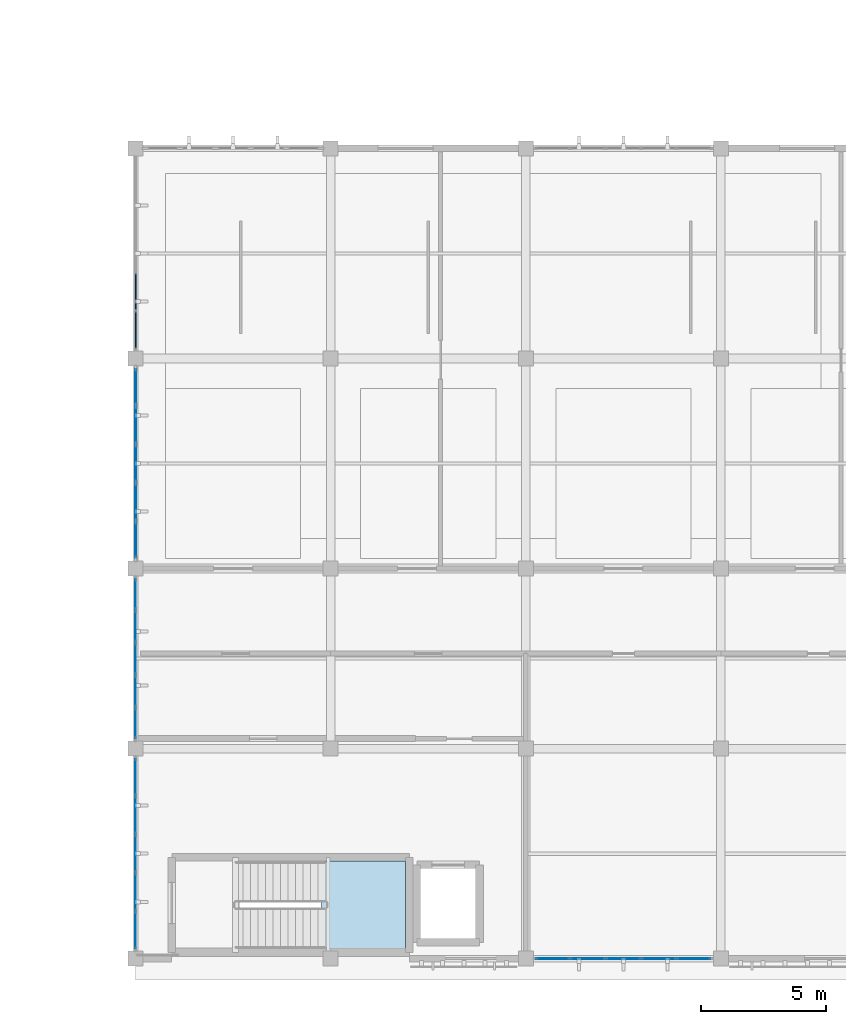
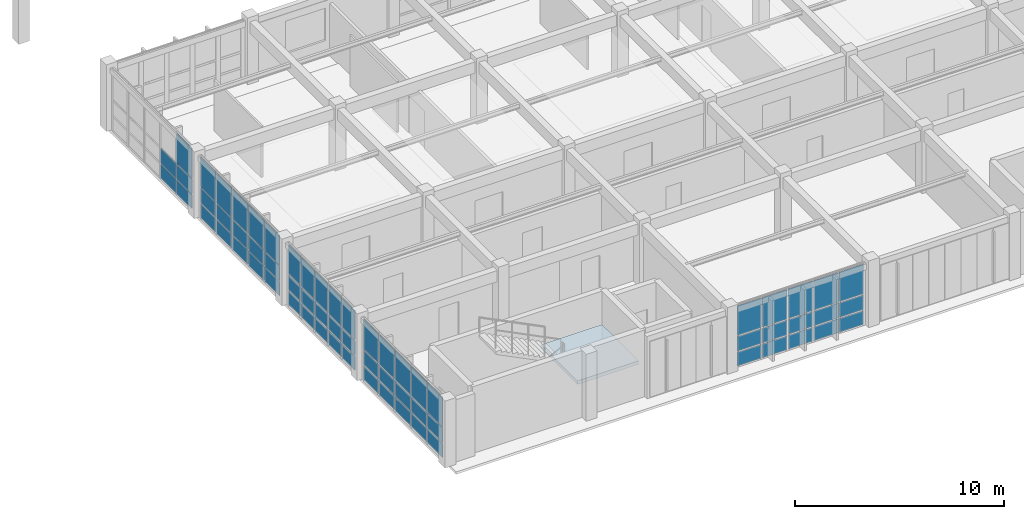
# One storey, part 33 of 67: 65 plates, 1 slab, 6 elements without a shape of their own.
"""IFC4 building model written with IfcOpenShell, lengths in metres."""

from ifc_helpers import new_model, si_unit, direction, frame, origin, origin_2d, place, context, subcontext, project, spatial, polyline, rectangle, outline, extrude, material, layer, layer_set, type_object, element, aggregate, save


model = new_model("IFC4")

# Units and contexts
model_context = context("Model", 3, precision=1e-05, world=origin(), true_north=direction((0.0, 1.0)))
body_context = subcontext(model_context, "Body", "Model", "MODEL_VIEW")
ifc_project = project(units=[si_unit("LENGTHUNIT", "METRE"), si_unit("AREAUNIT", "SQUARE_METRE"), si_unit("VOLUMEUNIT", "CUBIC_METRE"), si_unit("PLANEANGLEUNIT", "RADIAN"), si_unit("MASSUNIT", "GRAM", prefix="KILO")], contexts=[model_context])

# Site, building, storey
site_placement = place(None, origin())
site = spatial("IfcSite", under=ifc_project, at=site_placement, CompositionType="ELEMENT")
building_placement = place(site_placement, origin())
building = spatial("IfcBuilding", under=site, at=building_placement, Name="Tizgana Railside Sports Hall", CompositionType="ELEMENT")
storey_placement = place(building_placement, frame((0.0, 0.0, 12.0)))
storey = spatial("IfcBuildingStorey", under=building, at=storey_placement, Name="L02", CompositionType="ELEMENT", Elevation=12.0)

# Curtain wall, plates
ifc_material_1 = material(Name="Anodised aluminium and glass", Category="aluminium")
curtain_wall_type_1 = type_object("IfcCurtainWallType", Name="Unitised Curtain Wall Foyer 1300", PredefinedType="NOTDEFINED", material=ifc_material_1)
curtain_wall_1_placement = place(storey_placement, origin())
curtain_wall_1 = element("IfcCurtainWall", 1, at=curtain_wall_1_placement, inside=storey, type_object=curtain_wall_type_1, Name="L02 Curtain Wall CW-0113", PredefinedType="NOTDEFINED")
ifc_material_2 = material(Name="Double low-E laminated glass", Category="glass")
ifc_layer_1 = layer(ifc_material_2, 0.033935546875, Name="Double low-E laminated glass")
ifc_layer_set_1 = layer_set([ifc_layer_1], Name="Double low-E laminated glass")
plate_type_1 = type_object("IfcPlateType", Name="Acoustic Laminated Glazing Panel 34", PredefinedType="CURTAIN_PANEL", material=ifc_layer_set_1)
plate_1_placement = place(storey_placement, frame((7.800048828125, 22.857177734375, 0.05517578125), z_axis=(0.0, 0.0, 1.0), x_axis=(0.0, -1.0, 0.0)))
plate_1 = element("IfcPlate", 2, at=plate_1_placement, type_object=plate_type_1, Name="CW-02 panel 1.1", PredefinedType="CURTAIN_PANEL", context=body_context, shape_type="SweptSolid", body=[
    extrude(rectangle(XDim=1.425537109375, YDim=0.033935546875, at=origin_2d()), origin(), (0.0, 0.0, 1.0), 0.8173828125),
])
plate_2_placement = place(storey_placement, frame((7.800048828125, 22.857177734375, 0.927734375), z_axis=(0.0, 0.0, 1.0), x_axis=(0.0, -1.0, 0.0)))
plate_2 = element("IfcPlate", 3, at=plate_2_placement, type_object=plate_type_1, Name="CW-02 panel 1.2", PredefinedType="CURTAIN_PANEL", context=body_context, shape_type="SweptSolid", body=[
    extrude(rectangle(XDim=1.425537109375, YDim=0.033935546875, at=origin_2d()), origin(), (0.0, 0.0, 1.0), 0.864990234375),
])
plate_3_placement = place(storey_placement, frame((7.800048828125, 22.857177734375, 1.84765625), z_axis=(0.0, 0.0, 1.0), x_axis=(0.0, -1.0, 0.0)))
plate_3 = element("IfcPlate", 4, at=plate_3_placement, type_object=plate_type_1, Name="CW-02 panel 1.3", PredefinedType="CURTAIN_PANEL", context=body_context, shape_type="SweptSolid", body=[
    extrude(rectangle(XDim=1.425537109375, YDim=0.033935546875, at=origin_2d()), origin(), (0.0, 0.0, 1.0), 1.737548828125),
])
plate_4_placement = place(storey_placement, frame((7.800048828125, 21.337890625, 0.05517578125), z_axis=(0.0, 0.0, 1.0), x_axis=(0.0, -1.0, 0.0)))
plate_4 = element("IfcPlate", 5, at=plate_4_placement, type_object=plate_type_1, Name="CW-02 panel 2.1", PredefinedType="CURTAIN_PANEL", context=body_context, shape_type="SweptSolid", body=[
    extrude(rectangle(XDim=1.462890625, YDim=0.033935546875, at=origin_2d()), origin(), (0.0, 0.0, 1.0), 0.8173828125),
])
plate_5_placement = place(storey_placement, frame((7.800048828125, 21.337890625, 0.927734375), z_axis=(0.0, 0.0, 1.0), x_axis=(0.0, -1.0, 0.0)))
plate_5 = element("IfcPlate", 6, at=plate_5_placement, type_object=plate_type_1, Name="CW-02 panel 2.2", PredefinedType="CURTAIN_PANEL", context=body_context, shape_type="SweptSolid", body=[
    extrude(rectangle(XDim=1.462890625, YDim=0.033935546875, at=origin_2d()), origin(), (0.0, 0.0, 1.0), 0.864990234375),
])
plate_6_placement = place(storey_placement, frame((7.800048828125, 21.337890625, 1.84765625), z_axis=(0.0, 0.0, 1.0), x_axis=(0.0, -1.0, 0.0)))
plate_6 = element("IfcPlate", 7, at=plate_6_placement, type_object=plate_type_1, Name="CW-02 panel 2.3", PredefinedType="CURTAIN_PANEL", context=body_context, shape_type="SweptSolid", body=[
    extrude(rectangle(XDim=1.462890625, YDim=0.033935546875, at=origin_2d()), origin(), (0.0, 0.0, 1.0), 1.737548828125),
])
plate_7_placement = place(storey_placement, frame((7.800048828125, 19.800048828125, 0.05517578125), z_axis=(0.0, 0.0, 1.0), x_axis=(0.0, -1.0, 0.0)))
plate_7 = element("IfcPlate", 8, at=plate_7_placement, type_object=plate_type_1, Name="CW-02 panel 3.1", PredefinedType="CURTAIN_PANEL", context=body_context, shape_type="SweptSolid", body=[
    extrude(rectangle(XDim=1.462890625, YDim=0.033935546875, at=origin_2d()), origin(), (0.0, 0.0, 1.0), 0.8173828125),
])
plate_8_placement = place(storey_placement, frame((7.800048828125, 19.800048828125, 0.927734375), z_axis=(0.0, 0.0, 1.0), x_axis=(0.0, -1.0, 0.0)))
plate_8 = element("IfcPlate", 9, at=plate_8_placement, type_object=plate_type_1, Name="CW-02 panel 3.2", PredefinedType="CURTAIN_PANEL", context=body_context, shape_type="SweptSolid", body=[
    extrude(rectangle(XDim=1.462890625, YDim=0.033935546875, at=origin_2d()), origin(), (0.0, 0.0, 1.0), 0.864990234375),
])
plate_9_placement = place(storey_placement, frame((7.800048828125, 19.800048828125, 1.84765625), z_axis=(0.0, 0.0, 1.0), x_axis=(0.0, -1.0, 0.0)))
plate_9 = element("IfcPlate", 10, at=plate_9_placement, type_object=plate_type_1, Name="CW-02 panel 3.3", PredefinedType="CURTAIN_PANEL", context=body_context, shape_type="SweptSolid", body=[
    extrude(rectangle(XDim=1.462890625, YDim=0.033935546875, at=origin_2d()), origin(), (0.0, 0.0, 1.0), 1.737548828125),
])
plate_10_placement = place(storey_placement, frame((7.800048828125, 18.261962890625, 0.05517578125), z_axis=(0.0, 0.0, 1.0), x_axis=(0.0, -1.0, 0.0)))
plate_10 = element("IfcPlate", 11, at=plate_10_placement, type_object=plate_type_1, Name="CW-02 panel 4.1", PredefinedType="CURTAIN_PANEL", context=body_context, shape_type="SweptSolid", body=[
    extrude(rectangle(XDim=1.462890625, YDim=0.033935546875, at=origin_2d()), origin(), (0.0, 0.0, 1.0), 0.8173828125),
])
plate_11_placement = place(storey_placement, frame((7.800048828125, 18.261962890625, 0.927734375), z_axis=(0.0, 0.0, 1.0), x_axis=(0.0, -1.0, 0.0)))
plate_11 = element("IfcPlate", 12, at=plate_11_placement, type_object=plate_type_1, Name="CW-02 panel 4.2", PredefinedType="CURTAIN_PANEL", context=body_context, shape_type="SweptSolid", body=[
    extrude(rectangle(XDim=1.462890625, YDim=0.033935546875, at=origin_2d()), origin(), (0.0, 0.0, 1.0), 0.864990234375),
])
plate_12_placement = place(storey_placement, frame((7.800048828125, 18.261962890625, 1.84765625), z_axis=(0.0, 0.0, 1.0), x_axis=(0.0, -1.0, 0.0)))
plate_12 = element("IfcPlate", 13, at=plate_12_placement, type_object=plate_type_1, Name="CW-02 panel 4.3", PredefinedType="CURTAIN_PANEL", context=body_context, shape_type="SweptSolid", body=[
    extrude(rectangle(XDim=1.462890625, YDim=0.033935546875, at=origin_2d()), origin(), (0.0, 0.0, 1.0), 1.737548828125),
])
plate_13_placement = place(storey_placement, frame((7.800048828125, 16.74267578125, 0.05517578125), z_axis=(0.0, 0.0, 1.0), x_axis=(0.0, -1.0, 0.0)))
plate_13 = element("IfcPlate", 14, at=plate_13_placement, type_object=plate_type_1, Name="CW-02 panel 5.1", PredefinedType="CURTAIN_PANEL", context=body_context, shape_type="SweptSolid", body=[
    extrude(rectangle(XDim=1.425537109375, YDim=0.033935546875, at=origin_2d()), origin(), (0.0, 0.0, 1.0), 0.8173828125),
])
plate_14_placement = place(storey_placement, frame((7.800048828125, 16.74267578125, 0.927734375), z_axis=(0.0, 0.0, 1.0), x_axis=(0.0, -1.0, 0.0)))
plate_14 = element("IfcPlate", 15, at=plate_14_placement, type_object=plate_type_1, Name="CW-02 panel 5.2", PredefinedType="CURTAIN_PANEL", context=body_context, shape_type="SweptSolid", body=[
    extrude(rectangle(XDim=1.425537109375, YDim=0.033935546875, at=origin_2d()), origin(), (0.0, 0.0, 1.0), 0.864990234375),
])
plate_15_placement = place(storey_placement, frame((7.800048828125, 16.74267578125, 1.84765625), z_axis=(0.0, 0.0, 1.0), x_axis=(0.0, -1.0, 0.0)))
plate_15 = element("IfcPlate", 16, at=plate_15_placement, type_object=plate_type_1, Name="CW-02 panel 5.3", PredefinedType="CURTAIN_PANEL", context=body_context, shape_type="SweptSolid", body=[
    extrude(rectangle(XDim=1.425537109375, YDim=0.033935546875, at=origin_2d()), origin(), (0.0, 0.0, 1.0), 1.737548828125),
])
aggregate(curtain_wall_1, [plate_1, plate_2, plate_3, plate_4, plate_5, plate_6, plate_7, plate_8, plate_9, plate_10, plate_11, plate_12, plate_13, plate_14, plate_15])

# Stair, slab
ifc_material_3 = material(Name="Concrete C35/45", Category="concrete")
stair_type = type_object("IfcStairType", Name="Core Protected Stair 1500", PredefinedType="HALF_TURN_STAIR", material=ifc_material_3)
stair_placement = place(storey_placement, origin())
stair = element("IfcStair", 17, at=stair_placement, inside=storey, type_object=stair_type, Name="L02 Core Stair ST-01", PredefinedType="HALF_TURN_STAIR")
ifc_layer_2 = layer(ifc_material_3, 0.199951171875, Name="Concrete C35/45")
ifc_layer_set_2 = layer_set([ifc_layer_2], Name="Concrete C35/45")
slab_type = type_object("IfcSlabType", Name="Core Stair Landing Slab 200", PredefinedType="LANDING", material=ifc_layer_set_2)
slab_placement = place(storey_placement, frame((0.0, 0.0, 1.75)))
slab = element("IfcSlab", 18, at=slab_placement, type_object=slab_type, Name="ST-01 landing 1", PredefinedType="LANDING", context=body_context, shape_type="SweptSolid", body=[
    extrude(outline(polyline([(15.219970703125, 0.39990234375), (18.60009765625, 0.39990234375), (18.60009765625, 3.89990234375), (15.219970703125, 3.89990234375), (15.219970703125, 0.39990234375)])), origin(), (0.0, 0.0, 1.0), 0.199951171875),
])
aggregate(stair, [slab])

# Curtain wall, plates
curtain_wall_type_2 = type_object("IfcCurtainWallType", Name="Unitised Curtain Wall Studio 1400", PredefinedType="NOTDEFINED", material=ifc_material_1)
curtain_wall_2_placement = place(storey_placement, origin())
curtain_wall_2 = element("IfcCurtainWall", 19, at=curtain_wall_2_placement, inside=storey, type_object=curtain_wall_type_2, Name="L02 Curtain Wall CW-0114", PredefinedType="NOTDEFINED")
ifc_layer_3 = layer(ifc_material_2, 0.0400390625, Name="Double low-E laminated glass")
ifc_layer_set_3 = layer_set([ifc_layer_3], Name="Double low-E laminated glass")
plate_type_2 = type_object("IfcPlateType", Name="High-Span Tempered Glazing Panel 40", PredefinedType="CURTAIN_PANEL", material=ifc_layer_set_3)
plate_16_placement = place(storey_placement, frame((7.800048828125, 26.662109375, 0.06005859375), z_axis=(0.0, 0.0, 1.0), x_axis=(0.0, -1.0, 0.0)))
plate_16 = element("IfcPlate", 20, at=plate_16_placement, type_object=plate_type_2, Name="CW-03 panel 4.1", PredefinedType="CURTAIN_PANEL", context=body_context, shape_type="SweptSolid", body=[
    extrude(rectangle(XDim=1.47802734375, YDim=0.0400390625, at=origin_2d()), origin(), (0.0, 0.0, 1.0), 0.81005859375),
])
plate_17_placement = place(storey_placement, frame((7.800048828125, 26.662109375, 0.93017578125), z_axis=(0.0, 0.0, 1.0), x_axis=(0.0, -1.0, 0.0)))
plate_17 = element("IfcPlate", 21, at=plate_17_placement, type_object=plate_type_2, Name="CW-03 panel 4.2", PredefinedType="CURTAIN_PANEL", context=body_context, shape_type="SweptSolid", body=[
    extrude(rectangle(XDim=1.47802734375, YDim=0.0400390625, at=origin_2d()), origin(), (0.0, 0.0, 1.0), 0.860107421875),
])
plate_18_placement = place(storey_placement, frame((7.800048828125, 25.138916015625, 0.06005859375), z_axis=(0.0, 0.0, 1.0), x_axis=(0.0, -1.0, 0.0)))
plate_18 = element("IfcPlate", 22, at=plate_18_placement, type_object=plate_type_2, Name="CW-03 panel 5.1", PredefinedType="CURTAIN_PANEL", context=body_context, shape_type="SweptSolid", body=[
    extrude(rectangle(XDim=1.447998046875, YDim=0.0400390625, at=origin_2d()), origin(), (0.0, 0.0, 1.0), 0.81005859375),
])
plate_19_placement = place(storey_placement, frame((7.800048828125, 25.138916015625, 0.93017578125), z_axis=(0.0, 0.0, 1.0), x_axis=(0.0, -1.0, 0.0)))
plate_19 = element("IfcPlate", 23, at=plate_19_placement, type_object=plate_type_2, Name="CW-03 panel 5.2", PredefinedType="CURTAIN_PANEL", context=body_context, shape_type="SweptSolid", body=[
    extrude(rectangle(XDim=1.447998046875, YDim=0.0400390625, at=origin_2d()), origin(), (0.0, 0.0, 1.0), 0.860107421875),
])
plate_20_placement = place(storey_placement, frame((7.800048828125, 25.138916015625, 1.85009765625), z_axis=(0.0, 0.0, 1.0), x_axis=(0.0, -1.0, 0.0)))
plate_20 = element("IfcPlate", 24, at=plate_20_placement, type_object=plate_type_2, Name="CW-03 panel 5.3", PredefinedType="CURTAIN_PANEL", context=body_context, shape_type="SweptSolid", body=[
    extrude(rectangle(XDim=1.447998046875, YDim=0.0400390625, at=origin_2d()), origin(), (0.0, 0.0, 1.0), 1.72998046875),
])
aggregate(curtain_wall_2, [plate_16, plate_17, plate_18, plate_19, plate_20])

curtain_wall_type_3 = type_object("IfcCurtainWallType", Name="Unitised Curtain Wall EastHall 1500", PredefinedType="NOTDEFINED", material=ifc_material_1)
curtain_wall_3_placement = place(storey_placement, origin())
curtain_wall_3 = element("IfcCurtainWall", 25, at=curtain_wall_3_placement, inside=storey, type_object=curtain_wall_type_3, Name="L02 Curtain Wall CW-0111", PredefinedType="NOTDEFINED")
ifc_layer_4 = layer(ifc_material_2, 0.031982421875, Name="Double low-E laminated glass")
ifc_layer_set_4 = layer_set([ifc_layer_4], Name="Double low-E laminated glass")
plate_type_3 = type_object("IfcPlateType", Name="North-Light Clerestory Glazing Panel 32", PredefinedType="CURTAIN_PANEL", material=ifc_layer_set_4)
plate_21_placement = place(storey_placement, frame((7.800048828125, 7.259765625, 0.06494140625), z_axis=(0.0, 0.0, 1.0), x_axis=(0.0, -1.0, 0.0)))
plate_21 = element("IfcPlate", 26, at=plate_21_placement, type_object=plate_type_3, Name="CW-08 panel 1.1", PredefinedType="CURTAIN_PANEL", context=body_context, shape_type="SweptSolid", body=[
    extrude(rectangle(XDim=1.4404296875, YDim=0.031982421875, at=origin_2d()), origin(), (0.0, 0.0, 1.0), 0.802490234375),
])
plate_22_placement = place(storey_placement, frame((7.800048828125, 7.259765625, 0.9326171875), z_axis=(0.0, 0.0, 1.0), x_axis=(0.0, -1.0, 0.0)))
plate_22 = element("IfcPlate", 27, at=plate_22_placement, type_object=plate_type_3, Name="CW-08 panel 1.2", PredefinedType="CURTAIN_PANEL", context=body_context, shape_type="SweptSolid", body=[
    extrude(rectangle(XDim=1.4404296875, YDim=0.031982421875, at=origin_2d()), origin(), (0.0, 0.0, 1.0), 0.85498046875),
])
plate_23_placement = place(storey_placement, frame((7.800048828125, 7.259765625, 1.8525390625), z_axis=(0.0, 0.0, 1.0), x_axis=(0.0, -1.0, 0.0)))
plate_23 = element("IfcPlate", 28, at=plate_23_placement, type_object=plate_type_3, Name="CW-08 panel 1.3", PredefinedType="CURTAIN_PANEL", context=body_context, shape_type="SweptSolid", body=[
    extrude(rectangle(XDim=1.4404296875, YDim=0.031982421875, at=origin_2d()), origin(), (0.0, 0.0, 1.0), 1.722412109375),
])
plate_24_placement = place(storey_placement, frame((7.800048828125, 5.738037109375, 0.06494140625), z_axis=(0.0, 0.0, 1.0), x_axis=(0.0, -1.0, 0.0)))
plate_24 = element("IfcPlate", 29, at=plate_24_placement, type_object=plate_type_3, Name="CW-08 panel 2.1", PredefinedType="CURTAIN_PANEL", context=body_context, shape_type="SweptSolid", body=[
    extrude(rectangle(XDim=1.472900390625, YDim=0.031982421875, at=origin_2d()), origin(), (0.0, 0.0, 1.0), 0.802490234375),
])
plate_25_placement = place(storey_placement, frame((7.800048828125, 5.738037109375, 0.9326171875), z_axis=(0.0, 0.0, 1.0), x_axis=(0.0, -1.0, 0.0)))
plate_25 = element("IfcPlate", 30, at=plate_25_placement, type_object=plate_type_3, Name="CW-08 panel 2.2", PredefinedType="CURTAIN_PANEL", context=body_context, shape_type="SweptSolid", body=[
    extrude(rectangle(XDim=1.472900390625, YDim=0.031982421875, at=origin_2d()), origin(), (0.0, 0.0, 1.0), 0.85498046875),
])
plate_26_placement = place(storey_placement, frame((7.800048828125, 5.738037109375, 1.8525390625), z_axis=(0.0, 0.0, 1.0), x_axis=(0.0, -1.0, 0.0)))
plate_26 = element("IfcPlate", 31, at=plate_26_placement, type_object=plate_type_3, Name="CW-08 panel 2.3", PredefinedType="CURTAIN_PANEL", context=body_context, shape_type="SweptSolid", body=[
    extrude(rectangle(XDim=1.472900390625, YDim=0.031982421875, at=origin_2d()), origin(), (0.0, 0.0, 1.0), 1.722412109375),
])
plate_27_placement = place(storey_placement, frame((7.800048828125, 4.199951171875, 0.06494140625), z_axis=(0.0, 0.0, 1.0), x_axis=(0.0, -1.0, 0.0)))
plate_27 = element("IfcPlate", 32, at=plate_27_placement, type_object=plate_type_3, Name="CW-08 panel 3.1", PredefinedType="CURTAIN_PANEL", context=body_context, shape_type="SweptSolid", body=[
    extrude(rectangle(XDim=1.472900390625, YDim=0.031982421875, at=origin_2d()), origin(), (0.0, 0.0, 1.0), 0.802490234375),
])
plate_28_placement = place(storey_placement, frame((7.800048828125, 4.199951171875, 0.9326171875), z_axis=(0.0, 0.0, 1.0), x_axis=(0.0, -1.0, 0.0)))
plate_28 = element("IfcPlate", 33, at=plate_28_placement, type_object=plate_type_3, Name="CW-08 panel 3.2", PredefinedType="CURTAIN_PANEL", context=body_context, shape_type="SweptSolid", body=[
    extrude(rectangle(XDim=1.472900390625, YDim=0.031982421875, at=origin_2d()), origin(), (0.0, 0.0, 1.0), 0.85498046875),
])
plate_29_placement = place(storey_placement, frame((7.800048828125, 4.199951171875, 1.8525390625), z_axis=(0.0, 0.0, 1.0), x_axis=(0.0, -1.0, 0.0)))
plate_29 = element("IfcPlate", 34, at=plate_29_placement, type_object=plate_type_3, Name="CW-08 panel 3.3", PredefinedType="CURTAIN_PANEL", context=body_context, shape_type="SweptSolid", body=[
    extrude(rectangle(XDim=1.472900390625, YDim=0.031982421875, at=origin_2d()), origin(), (0.0, 0.0, 1.0), 1.722412109375),
])
plate_30_placement = place(storey_placement, frame((7.800048828125, 2.662109375, 0.06494140625), z_axis=(0.0, 0.0, 1.0), x_axis=(0.0, -1.0, 0.0)))
plate_30 = element("IfcPlate", 35, at=plate_30_placement, type_object=plate_type_3, Name="CW-08 panel 4.1", PredefinedType="CURTAIN_PANEL", context=body_context, shape_type="SweptSolid", body=[
    extrude(rectangle(XDim=1.472900390625, YDim=0.031982421875, at=origin_2d()), origin(), (0.0, 0.0, 1.0), 0.802490234375),
])
plate_31_placement = place(storey_placement, frame((7.800048828125, 2.662109375, 0.9326171875), z_axis=(0.0, 0.0, 1.0), x_axis=(0.0, -1.0, 0.0)))
plate_31 = element("IfcPlate", 36, at=plate_31_placement, type_object=plate_type_3, Name="CW-08 panel 4.2", PredefinedType="CURTAIN_PANEL", context=body_context, shape_type="SweptSolid", body=[
    extrude(rectangle(XDim=1.472900390625, YDim=0.031982421875, at=origin_2d()), origin(), (0.0, 0.0, 1.0), 0.85498046875),
])
plate_32_placement = place(storey_placement, frame((7.800048828125, 2.662109375, 1.8525390625), z_axis=(0.0, 0.0, 1.0), x_axis=(0.0, -1.0, 0.0)))
plate_32 = element("IfcPlate", 37, at=plate_32_placement, type_object=plate_type_3, Name="CW-08 panel 4.3", PredefinedType="CURTAIN_PANEL", context=body_context, shape_type="SweptSolid", body=[
    extrude(rectangle(XDim=1.472900390625, YDim=0.031982421875, at=origin_2d()), origin(), (0.0, 0.0, 1.0), 1.722412109375),
])
plate_33_placement = place(storey_placement, frame((7.800048828125, 1.14013671875, 0.06494140625), z_axis=(0.0, 0.0, 1.0), x_axis=(0.0, -1.0, 0.0)))
plate_33 = element("IfcPlate", 38, at=plate_33_placement, type_object=plate_type_3, Name="CW-08 panel 5.1", PredefinedType="CURTAIN_PANEL", context=body_context, shape_type="SweptSolid", body=[
    extrude(rectangle(XDim=1.4404296875, YDim=0.031982421875, at=origin_2d()), origin(), (0.0, 0.0, 1.0), 0.802490234375),
])
plate_34_placement = place(storey_placement, frame((7.800048828125, 1.14013671875, 0.9326171875), z_axis=(0.0, 0.0, 1.0), x_axis=(0.0, -1.0, 0.0)))
plate_34 = element("IfcPlate", 39, at=plate_34_placement, type_object=plate_type_3, Name="CW-08 panel 5.2", PredefinedType="CURTAIN_PANEL", context=body_context, shape_type="SweptSolid", body=[
    extrude(rectangle(XDim=1.4404296875, YDim=0.031982421875, at=origin_2d()), origin(), (0.0, 0.0, 1.0), 0.85498046875),
])
plate_35_placement = place(storey_placement, frame((7.800048828125, 1.14013671875, 1.8525390625), z_axis=(0.0, 0.0, 1.0), x_axis=(0.0, -1.0, 0.0)))
plate_35 = element("IfcPlate", 40, at=plate_35_placement, type_object=plate_type_3, Name="CW-08 panel 5.3", PredefinedType="CURTAIN_PANEL", context=body_context, shape_type="SweptSolid", body=[
    extrude(rectangle(XDim=1.4404296875, YDim=0.031982421875, at=origin_2d()), origin(), (0.0, 0.0, 1.0), 1.722412109375),
])
aggregate(curtain_wall_3, [plate_21, plate_22, plate_23, plate_24, plate_25, plate_26, plate_27, plate_28, plate_29, plate_30, plate_31, plate_32, plate_33, plate_34, plate_35])

curtain_wall_type_4 = type_object("IfcCurtainWallType", Name="Unitised Curtain Wall Concourse 1500", PredefinedType="NOTDEFINED", material=ifc_material_1)
curtain_wall_4_placement = place(storey_placement, origin())
curtain_wall_4 = element("IfcCurtainWall", 41, at=curtain_wall_4_placement, inside=storey, type_object=curtain_wall_type_4, Name="L02 Curtain Wall CW-0104", PredefinedType="NOTDEFINED")
ifc_layer_5 = layer(ifc_material_2, 0.028076171875, Name="Double low-E laminated glass")
ifc_layer_set_5 = layer_set([ifc_layer_5], Name="Double low-E laminated glass")
plate_type_4 = type_object("IfcPlateType", Name="Solar Low-E Glazing Panel 28", PredefinedType="CURTAIN_PANEL", material=ifc_layer_set_5)
plate_36_placement = place(storey_placement, frame((30.12109375, 0.0, 0.06005859375), z_axis=(0.0, 0.0, 1.0), x_axis=(-1.0, 0.0, 0.0)))
plate_36 = element("IfcPlate", 42, at=plate_36_placement, type_object=plate_type_4, Name="CW-01 panel 1.1", PredefinedType="CURTAIN_PANEL", context=body_context, shape_type="SweptSolid", body=[
    extrude(rectangle(XDim=1.327880859375, YDim=0.028076171875, at=origin_2d()), origin(), (0.0, 0.0, 1.0), 0.81005859375),
])
plate_37_placement = place(storey_placement, frame((30.12109375, 0.0, 0.93017578125), z_axis=(0.0, 0.0, 1.0), x_axis=(-1.0, 0.0, 0.0)))
plate_37 = element("IfcPlate", 43, at=plate_37_placement, type_object=plate_type_4, Name="CW-01 panel 1.2", PredefinedType="CURTAIN_PANEL", context=body_context, shape_type="SweptSolid", body=[
    extrude(rectangle(XDim=1.327880859375, YDim=0.028076171875, at=origin_2d()), origin(), (0.0, 0.0, 1.0), 0.860107421875),
])
plate_38_placement = place(storey_placement, frame((30.12109375, 0.0, 1.85009765625), z_axis=(0.0, 0.0, 1.0), x_axis=(-1.0, 0.0, 0.0)))
plate_38 = element("IfcPlate", 44, at=plate_38_placement, type_object=plate_type_4, Name="CW-01 panel 1.3", PredefinedType="CURTAIN_PANEL", context=body_context, shape_type="SweptSolid", body=[
    extrude(rectangle(XDim=1.327880859375, YDim=0.028076171875, at=origin_2d()), origin(), (0.0, 0.0, 1.0), 1.72998046875),
])
plate_39_placement = place(storey_placement, frame((28.718017578125, 0.0, 0.06005859375), z_axis=(0.0, 0.0, 1.0), x_axis=(-1.0, 0.0, 0.0)))
plate_39 = element("IfcPlate", 45, at=plate_39_placement, type_object=plate_type_4, Name="CW-01 panel 2.1", PredefinedType="CURTAIN_PANEL", context=body_context, shape_type="SweptSolid", body=[
    extrude(rectangle(XDim=1.35791015625, YDim=0.028076171875, at=origin_2d()), origin(), (0.0, 0.0, 1.0), 0.81005859375),
])
plate_40_placement = place(storey_placement, frame((28.718017578125, 0.0, 0.93017578125), z_axis=(0.0, 0.0, 1.0), x_axis=(-1.0, 0.0, 0.0)))
plate_40 = element("IfcPlate", 46, at=plate_40_placement, type_object=plate_type_4, Name="CW-01 panel 2.2", PredefinedType="CURTAIN_PANEL", context=body_context, shape_type="SweptSolid", body=[
    extrude(rectangle(XDim=1.35791015625, YDim=0.028076171875, at=origin_2d()), origin(), (0.0, 0.0, 1.0), 0.860107421875),
])
plate_41_placement = place(storey_placement, frame((28.718017578125, 0.0, 1.85009765625), z_axis=(0.0, 0.0, 1.0), x_axis=(-1.0, 0.0, 0.0)))
plate_41 = element("IfcPlate", 47, at=plate_41_placement, type_object=plate_type_4, Name="CW-01 panel 2.3", PredefinedType="CURTAIN_PANEL", context=body_context, shape_type="SweptSolid", body=[
    extrude(rectangle(XDim=1.35791015625, YDim=0.028076171875, at=origin_2d()), origin(), (0.0, 0.0, 1.0), 1.72998046875),
])
plate_42_placement = place(storey_placement, frame((27.300048828125, 0.0, 0.06005859375), z_axis=(0.0, 0.0, 1.0), x_axis=(-1.0, 0.0, 0.0)))
plate_42 = element("IfcPlate", 48, at=plate_42_placement, type_object=plate_type_4, Name="CW-01 panel 3.1", PredefinedType="CURTAIN_PANEL", context=body_context, shape_type="SweptSolid", body=[
    extrude(rectangle(XDim=1.35791015625, YDim=0.028076171875, at=origin_2d()), origin(), (0.0, 0.0, 1.0), 0.81005859375),
])
plate_43_placement = place(storey_placement, frame((27.300048828125, 0.0, 0.93017578125), z_axis=(0.0, 0.0, 1.0), x_axis=(-1.0, 0.0, 0.0)))
plate_43 = element("IfcPlate", 49, at=plate_43_placement, type_object=plate_type_4, Name="CW-01 panel 3.2", PredefinedType="CURTAIN_PANEL", context=body_context, shape_type="SweptSolid", body=[
    extrude(rectangle(XDim=1.35791015625, YDim=0.028076171875, at=origin_2d()), origin(), (0.0, 0.0, 1.0), 0.860107421875),
])
plate_44_placement = place(storey_placement, frame((27.300048828125, 0.0, 1.85009765625), z_axis=(0.0, 0.0, 1.0), x_axis=(-1.0, 0.0, 0.0)))
plate_44 = element("IfcPlate", 50, at=plate_44_placement, type_object=plate_type_4, Name="CW-01 panel 3.3", PredefinedType="CURTAIN_PANEL", context=body_context, shape_type="SweptSolid", body=[
    extrude(rectangle(XDim=1.35791015625, YDim=0.028076171875, at=origin_2d()), origin(), (0.0, 0.0, 1.0), 1.72998046875),
])
plate_45_placement = place(storey_placement, frame((25.882080078125, 0.0, 0.06005859375), z_axis=(0.0, 0.0, 1.0), x_axis=(-1.0, 0.0, 0.0)))
plate_45 = element("IfcPlate", 51, at=plate_45_placement, type_object=plate_type_4, Name="CW-01 panel 4.1", PredefinedType="CURTAIN_PANEL", context=body_context, shape_type="SweptSolid", body=[
    extrude(rectangle(XDim=1.35791015625, YDim=0.028076171875, at=origin_2d()), origin(), (0.0, 0.0, 1.0), 0.81005859375),
])
plate_46_placement = place(storey_placement, frame((25.882080078125, 0.0, 0.93017578125), z_axis=(0.0, 0.0, 1.0), x_axis=(-1.0, 0.0, 0.0)))
plate_46 = element("IfcPlate", 52, at=plate_46_placement, type_object=plate_type_4, Name="CW-01 panel 4.2", PredefinedType="CURTAIN_PANEL", context=body_context, shape_type="SweptSolid", body=[
    extrude(rectangle(XDim=1.35791015625, YDim=0.028076171875, at=origin_2d()), origin(), (0.0, 0.0, 1.0), 0.860107421875),
])
plate_47_placement = place(storey_placement, frame((25.882080078125, 0.0, 1.85009765625), z_axis=(0.0, 0.0, 1.0), x_axis=(-1.0, 0.0, 0.0)))
plate_47 = element("IfcPlate", 53, at=plate_47_placement, type_object=plate_type_4, Name="CW-01 panel 4.3", PredefinedType="CURTAIN_PANEL", context=body_context, shape_type="SweptSolid", body=[
    extrude(rectangle(XDim=1.35791015625, YDim=0.028076171875, at=origin_2d()), origin(), (0.0, 0.0, 1.0), 1.72998046875),
])
plate_48_placement = place(storey_placement, frame((24.47900390625, 0.0, 0.06005859375), z_axis=(0.0, 0.0, 1.0), x_axis=(-1.0, 0.0, 0.0)))
plate_48 = element("IfcPlate", 54, at=plate_48_placement, type_object=plate_type_4, Name="CW-01 panel 5.1", PredefinedType="CURTAIN_PANEL", context=body_context, shape_type="SweptSolid", body=[
    extrude(rectangle(XDim=1.327880859375, YDim=0.028076171875, at=origin_2d()), origin(), (0.0, 0.0, 1.0), 0.81005859375),
])
plate_49_placement = place(storey_placement, frame((24.47900390625, 0.0, 0.93017578125), z_axis=(0.0, 0.0, 1.0), x_axis=(-1.0, 0.0, 0.0)))
plate_49 = element("IfcPlate", 55, at=plate_49_placement, type_object=plate_type_4, Name="CW-01 panel 5.2", PredefinedType="CURTAIN_PANEL", context=body_context, shape_type="SweptSolid", body=[
    extrude(rectangle(XDim=1.327880859375, YDim=0.028076171875, at=origin_2d()), origin(), (0.0, 0.0, 1.0), 0.860107421875),
])
plate_50_placement = place(storey_placement, frame((24.47900390625, 0.0, 1.85009765625), z_axis=(0.0, 0.0, 1.0), x_axis=(-1.0, 0.0, 0.0)))
plate_50 = element("IfcPlate", 56, at=plate_50_placement, type_object=plate_type_4, Name="CW-01 panel 5.3", PredefinedType="CURTAIN_PANEL", context=body_context, shape_type="SweptSolid", body=[
    extrude(rectangle(XDim=1.327880859375, YDim=0.028076171875, at=origin_2d()), origin(), (0.0, 0.0, 1.0), 1.72998046875),
])
aggregate(curtain_wall_4, [plate_36, plate_37, plate_38, plate_39, plate_40, plate_41, plate_42, plate_43, plate_44, plate_45, plate_46, plate_47, plate_48, plate_49, plate_50])

curtain_wall_5_placement = place(storey_placement, origin())
curtain_wall_5 = element("IfcCurtainWall", 57, at=curtain_wall_5_placement, inside=storey, type_object=curtain_wall_type_4, Name="L02 Curtain Wall CW-0112", PredefinedType="NOTDEFINED")
plate_51_placement = place(storey_placement, frame((7.800048828125, 14.57861328125, 0.070068359375), z_axis=(0.0, 0.0, 1.0), x_axis=(0.0, -1.0, 0.0)))
plate_51 = element("IfcPlate", 58, at=plate_51_placement, type_object=plate_type_4, Name="CW-01 panel 1.1", PredefinedType="CURTAIN_PANEL", context=body_context, shape_type="SweptSolid", body=[
    extrude(rectangle(XDim=1.193115234375, YDim=0.028076171875, at=origin_2d()), origin(), (0.0, 0.0, 1.0), 0.794921875),
])
plate_52_placement = place(storey_placement, frame((7.800048828125, 14.57861328125, 0.93505859375), z_axis=(0.0, 0.0, 1.0), x_axis=(0.0, -1.0, 0.0)))
plate_52 = element("IfcPlate", 59, at=plate_52_placement, type_object=plate_type_4, Name="CW-01 panel 1.2", PredefinedType="CURTAIN_PANEL", context=body_context, shape_type="SweptSolid", body=[
    extrude(rectangle(XDim=1.193115234375, YDim=0.028076171875, at=origin_2d()), origin(), (0.0, 0.0, 1.0), 0.85009765625),
])
plate_53_placement = place(storey_placement, frame((7.800048828125, 14.57861328125, 1.85498046875), z_axis=(0.0, 0.0, 1.0), x_axis=(0.0, -1.0, 0.0)))
plate_53 = element("IfcPlate", 60, at=plate_53_placement, type_object=plate_type_4, Name="CW-01 panel 1.3", PredefinedType="CURTAIN_PANEL", context=body_context, shape_type="SweptSolid", body=[
    extrude(rectangle(XDim=1.193115234375, YDim=0.028076171875, at=origin_2d()), origin(), (0.0, 0.0, 1.0), 1.715087890625),
])
plate_54_placement = place(storey_placement, frame((7.800048828125, 13.298095703125, 0.070068359375), z_axis=(0.0, 0.0, 1.0), x_axis=(0.0, -1.0, 0.0)))
plate_54 = element("IfcPlate", 61, at=plate_54_placement, type_object=plate_type_4, Name="CW-01 panel 2.1", PredefinedType="CURTAIN_PANEL", context=body_context, shape_type="SweptSolid", body=[
    extrude(rectangle(XDim=1.22802734375, YDim=0.028076171875, at=origin_2d()), origin(), (0.0, 0.0, 1.0), 0.794921875),
])
plate_55_placement = place(storey_placement, frame((7.800048828125, 13.298095703125, 0.93505859375), z_axis=(0.0, 0.0, 1.0), x_axis=(0.0, -1.0, 0.0)))
plate_55 = element("IfcPlate", 62, at=plate_55_placement, type_object=plate_type_4, Name="CW-01 panel 2.2", PredefinedType="CURTAIN_PANEL", context=body_context, shape_type="SweptSolid", body=[
    extrude(rectangle(XDim=1.22802734375, YDim=0.028076171875, at=origin_2d()), origin(), (0.0, 0.0, 1.0), 0.85009765625),
])
plate_56_placement = place(storey_placement, frame((7.800048828125, 13.298095703125, 1.85498046875), z_axis=(0.0, 0.0, 1.0), x_axis=(0.0, -1.0, 0.0)))
plate_56 = element("IfcPlate", 63, at=plate_56_placement, type_object=plate_type_4, Name="CW-01 panel 2.3", PredefinedType="CURTAIN_PANEL", context=body_context, shape_type="SweptSolid", body=[
    extrude(rectangle(XDim=1.22802734375, YDim=0.028076171875, at=origin_2d()), origin(), (0.0, 0.0, 1.0), 1.715087890625),
])
plate_57_placement = place(storey_placement, frame((7.800048828125, 12.0, 0.070068359375), z_axis=(0.0, 0.0, 1.0), x_axis=(0.0, -1.0, 0.0)))
plate_57 = element("IfcPlate", 64, at=plate_57_placement, type_object=plate_type_4, Name="CW-01 panel 3.1", PredefinedType="CURTAIN_PANEL", context=body_context, shape_type="SweptSolid", body=[
    extrude(rectangle(XDim=1.22802734375, YDim=0.028076171875, at=origin_2d()), origin(), (0.0, 0.0, 1.0), 0.794921875),
])
plate_58_placement = place(storey_placement, frame((7.800048828125, 12.0, 0.93505859375), z_axis=(0.0, 0.0, 1.0), x_axis=(0.0, -1.0, 0.0)))
plate_58 = element("IfcPlate", 65, at=plate_58_placement, type_object=plate_type_4, Name="CW-01 panel 3.2", PredefinedType="CURTAIN_PANEL", context=body_context, shape_type="SweptSolid", body=[
    extrude(rectangle(XDim=1.22802734375, YDim=0.028076171875, at=origin_2d()), origin(), (0.0, 0.0, 1.0), 0.85009765625),
])
plate_59_placement = place(storey_placement, frame((7.800048828125, 12.0, 1.85498046875), z_axis=(0.0, 0.0, 1.0), x_axis=(0.0, -1.0, 0.0)))
plate_59 = element("IfcPlate", 66, at=plate_59_placement, type_object=plate_type_4, Name="CW-01 panel 3.3", PredefinedType="CURTAIN_PANEL", context=body_context, shape_type="SweptSolid", body=[
    extrude(rectangle(XDim=1.22802734375, YDim=0.028076171875, at=origin_2d()), origin(), (0.0, 0.0, 1.0), 1.715087890625),
])
plate_60_placement = place(storey_placement, frame((7.800048828125, 10.701904296875, 0.070068359375), z_axis=(0.0, 0.0, 1.0), x_axis=(0.0, -1.0, 0.0)))
plate_60 = element("IfcPlate", 67, at=plate_60_placement, type_object=plate_type_4, Name="CW-01 panel 4.1", PredefinedType="CURTAIN_PANEL", context=body_context, shape_type="SweptSolid", body=[
    extrude(rectangle(XDim=1.22802734375, YDim=0.028076171875, at=origin_2d()), origin(), (0.0, 0.0, 1.0), 0.794921875),
])
plate_61_placement = place(storey_placement, frame((7.800048828125, 10.701904296875, 0.93505859375), z_axis=(0.0, 0.0, 1.0), x_axis=(0.0, -1.0, 0.0)))
plate_61 = element("IfcPlate", 68, at=plate_61_placement, type_object=plate_type_4, Name="CW-01 panel 4.2", PredefinedType="CURTAIN_PANEL", context=body_context, shape_type="SweptSolid", body=[
    extrude(rectangle(XDim=1.22802734375, YDim=0.028076171875, at=origin_2d()), origin(), (0.0, 0.0, 1.0), 0.85009765625),
])
plate_62_placement = place(storey_placement, frame((7.800048828125, 10.701904296875, 1.85498046875), z_axis=(0.0, 0.0, 1.0), x_axis=(0.0, -1.0, 0.0)))
plate_62 = element("IfcPlate", 69, at=plate_62_placement, type_object=plate_type_4, Name="CW-01 panel 4.3", PredefinedType="CURTAIN_PANEL", context=body_context, shape_type="SweptSolid", body=[
    extrude(rectangle(XDim=1.22802734375, YDim=0.028076171875, at=origin_2d()), origin(), (0.0, 0.0, 1.0), 1.715087890625),
])
plate_63_placement = place(storey_placement, frame((7.800048828125, 9.42138671875, 0.070068359375), z_axis=(0.0, 0.0, 1.0), x_axis=(0.0, -1.0, 0.0)))
plate_63 = element("IfcPlate", 70, at=plate_63_placement, type_object=plate_type_4, Name="CW-01 panel 5.1", PredefinedType="CURTAIN_PANEL", context=body_context, shape_type="SweptSolid", body=[
    extrude(rectangle(XDim=1.193115234375, YDim=0.028076171875, at=origin_2d()), origin(), (0.0, 0.0, 1.0), 0.794921875),
])
plate_64_placement = place(storey_placement, frame((7.800048828125, 9.42138671875, 0.93505859375), z_axis=(0.0, 0.0, 1.0), x_axis=(0.0, -1.0, 0.0)))
plate_64 = element("IfcPlate", 71, at=plate_64_placement, type_object=plate_type_4, Name="CW-01 panel 5.2", PredefinedType="CURTAIN_PANEL", context=body_context, shape_type="SweptSolid", body=[
    extrude(rectangle(XDim=1.193115234375, YDim=0.028076171875, at=origin_2d()), origin(), (0.0, 0.0, 1.0), 0.85009765625),
])
plate_65_placement = place(storey_placement, frame((7.800048828125, 9.42138671875, 1.85498046875), z_axis=(0.0, 0.0, 1.0), x_axis=(0.0, -1.0, 0.0)))
plate_65 = element("IfcPlate", 72, at=plate_65_placement, type_object=plate_type_4, Name="CW-01 panel 5.3", PredefinedType="CURTAIN_PANEL", context=body_context, shape_type="SweptSolid", body=[
    extrude(rectangle(XDim=1.193115234375, YDim=0.028076171875, at=origin_2d()), origin(), (0.0, 0.0, 1.0), 1.715087890625),
])
aggregate(curtain_wall_5, [plate_51, plate_52, plate_53, plate_54, plate_55, plate_56, plate_57, plate_58, plate_59, plate_60, plate_61, plate_62, plate_63, plate_64, plate_65])

save(model, "model.ifc")
